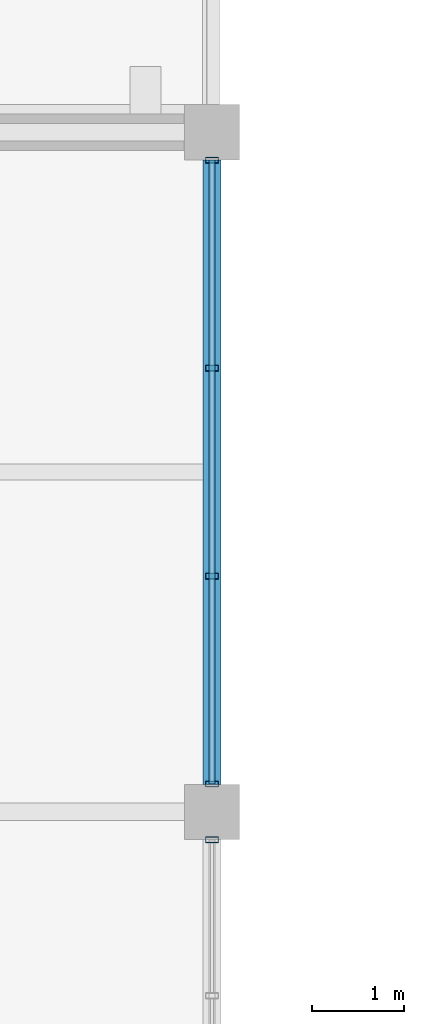
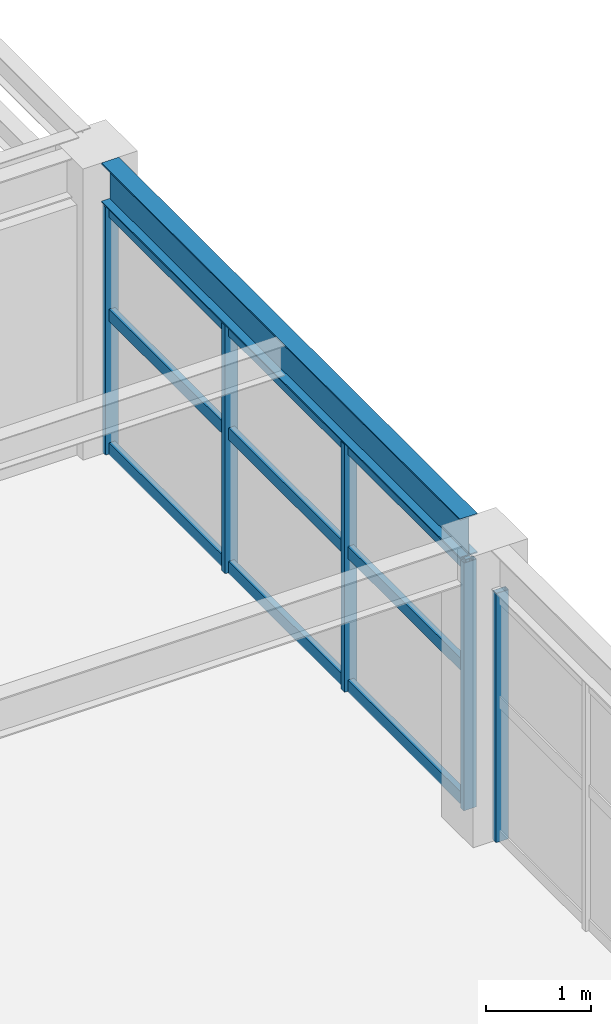
# One storey, part 56 of 121: 8 members, 1 beam, 2 elements without a shape of their own.
"""IFC4 building model written with IfcOpenShell, lengths in metres."""

import ifcopenshell
import ifcopenshell.guid

model = None  # the IFC model being written
_history = None  # IfcOwnerHistory: only IFC2X3 demands one
_inside = {}  # id of a spatial element -> (the spatial element, [elements in it])
_under = {}  # id of a project, library or spatial element -> (it, [spatial elements below it])
_declared = {}  # id of a project -> (the project, [libraries it declares])
_typed = {}  # id of a type object -> (the type object, [elements of that type])
_made_of = {}  # id of a material, layer set ... -> (it, [elements and type objects made of it])


def new_model(schema):
    """Start an empty IFC model of exactly this schema.

    Asked for "IFC4X3", IfcOpenShell would pick the latest addendum, in which some entities
    have other attributes; the version numbers below select the first issue.
    IFC2X3 requires an IfcOwnerHistory on every rooted entity: one is made here for all.
    """
    global model, _history
    if schema == "IFC4X3":
        model = ifcopenshell.file(schema_version=(4, 3, 0, 0))
    else:
        model = ifcopenshell.file(schema=schema)
    _inside.clear()
    _under.clear()
    _declared.clear()
    _typed.clear()
    _made_of.clear()
    _history = None
    if model.schema == "IFC2X3":
        org = make("IfcOrganization", Name="unknown")
        user = make(
            "IfcPersonAndOrganization",
            ThePerson=make("IfcPerson", FamilyName="unknown"),
            TheOrganization=org,
        )
        app = make(
            "IfcApplication",
            ApplicationDeveloper=org,
            Version="unknown",
            ApplicationFullName="unknown",
            ApplicationIdentifier="unknown",
        )
        _history = make(
            "IfcOwnerHistory",
            OwningUser=user,
            OwningApplication=app,
            ChangeAction="ADDED",
            CreationDate=0,
        )
    return model


def make(cls, **values):
    """One entity of the class cls with the attributes given. An attribute that is None is left unset."""
    return model.create_entity(
        cls, **{name: value for name, value in values.items() if value is not None}
    )


def rooted(cls, **values):
    """An entity with a GlobalId (a new one), such as an element, a storey or a relation."""
    return make(cls, GlobalId=ifcopenshell.guid.new(), OwnerHistory=_history, **values)


def si_unit(unit_type, name, prefix=None):
    """IfcSIUnit, for example si_unit("LENGTHUNIT", "METRE", prefix="MILLI")."""
    return make("IfcSIUnit", UnitType=unit_type, Prefix=prefix, Name=name)


def assignment(units):
    """IfcUnitAssignment: the units of a project."""
    return None if units is None else make("IfcUnitAssignment", Units=units)


def point(xyz):
    """IfcCartesianPoint."""
    return None if xyz is None else make("IfcCartesianPoint", Coordinates=xyz)


def direction(xyz):
    """IfcDirection."""
    return None if xyz is None else make("IfcDirection", DirectionRatios=xyz)


def frame(location, z_axis=None, x_axis=None):
    """IfcAxis2Placement3D, a coordinate frame: its origin and axes. An axis left out is left unset."""
    return make(
        "IfcAxis2Placement3D",
        Location=point(location),
        Axis=direction(z_axis),
        RefDirection=direction(x_axis),
    )


def frame_2d(location, x_axis=None):
    """IfcAxis2Placement2D, a coordinate frame in the plane: its origin and x axis."""
    return make(
        "IfcAxis2Placement2D", Location=point(location), RefDirection=direction(x_axis)
    )


def origin():
    """The frame at (0, 0, 0) with its axes left unset."""
    return frame((0.0, 0.0, 0.0))


def origin_2d():
    """The frame at (0, 0) in the plane with its x axis left unset."""
    return frame_2d((0.0, 0.0))


def place(relative_to, where):
    """IfcLocalPlacement: puts the frame where relative to a parent placement (None: the world)."""
    return make(
        "IfcLocalPlacement", PlacementRelTo=relative_to, RelativePlacement=where
    )


def context(
    kind, dimensions, precision=None, world=None, true_north=None, identifier=None
):
    """IfcGeometricRepresentationContext, for example the 3D "Model" context."""
    return make(
        "IfcGeometricRepresentationContext",
        ContextIdentifier=identifier,
        ContextType=kind,
        CoordinateSpaceDimension=dimensions,
        Precision=precision,
        WorldCoordinateSystem=world,
        TrueNorth=true_north,
    )


def subcontext(parent, identifier, kind, view, scale=None):
    """IfcGeometricRepresentationSubContext, for example "Body" below "Model"."""
    return make(
        "IfcGeometricRepresentationSubContext",
        ContextIdentifier=identifier,
        ContextType=kind,
        ParentContext=parent,
        TargetScale=scale,
        TargetView=view,
    )


def project(units=None, contexts=None):
    """IfcProject with its units and contexts."""
    return rooted(
        "IfcProject",
        Name="project",
        RepresentationContexts=contexts,
        UnitsInContext=assignment(units),
    )


def spatial(cls, under=None, at=None, **own):
    """A site, building, storey or space (cls), placed at a placement, below another one or the project."""
    s = rooted(cls, ObjectPlacement=at, **own)
    if under is not None:
        _under.setdefault(under.id(), (under, []))[1].append(s)
    return s


def profile(cls, at=None, kind="AREA", **sizes):
    """A parametric profile (cls). Its sizes go by their IFC names, for example OverallWidth=200.0."""
    return make(cls, ProfileType=kind, Position=at, **sizes)


def hollow_rectangle(**sizes):
    """IfcRectangleHollowProfileDef."""
    return profile("IfcRectangleHollowProfileDef", **sizes)


def i_section(**sizes):
    """IfcIShapeProfileDef."""
    return profile("IfcIShapeProfileDef", **sizes)


def extrude(swept, where, along, depth):
    """IfcExtrudedAreaSolid: the profile swept, set in the frame where, extruded along a direction by depth."""
    return make(
        "IfcExtrudedAreaSolid",
        SweptArea=swept,
        Position=where,
        ExtrudedDirection=direction(along),
        Depth=depth,
    )


def shape(context_of_items, identifier, shape_type, items):
    """IfcShapeRepresentation: the items that make up one representation, for example the "Body"."""
    return make(
        "IfcShapeRepresentation",
        ContextOfItems=context_of_items,
        RepresentationIdentifier=identifier,
        RepresentationType=shape_type,
        Items=items,
    )


def material(Name=None, Category=None):
    """IfcMaterial."""
    return make("IfcMaterial", Name=Name, Category=Category)


def material_profile(
    of_material, cross_section, Name=None, Category=None, Priority=None
):
    """IfcMaterialProfile: a cross section and its material."""
    return make(
        "IfcMaterialProfile",
        Name=Name,
        Material=of_material,
        Profile=cross_section,
        Priority=Priority,
        Category=Category,
    )


def profile_set(profiles, Name=None, composite=None):
    """IfcMaterialProfileSet."""
    return make(
        "IfcMaterialProfileSet",
        Name=Name,
        MaterialProfiles=profiles,
        CompositeProfile=composite,
    )


def made_of(thing, what):
    """Note that an element or type object is made of a material, layer set ...; save() writes the relation."""
    if what is not None:
        _made_of.setdefault(what.id(), (what, []))[1].append(thing)
    return thing


def type_object(cls, material=None, **own):
    """A type object (cls), such as IfcWallType, which elements share."""
    return made_of(rooted(cls, **own), material)


def element(
    cls,
    number,
    at=None,
    inside=None,
    cuts=None,
    type_object=None,
    material=None,
    context=None,
    identifier="Body",
    shape_type=None,
    held_by="IfcProductDefinitionShape",
    body=None,
    shapes=None,
    **own,
):
    """One element of the class cls, such as IfcWall. Its Tag is "e" and its number.

    at: its placement. inside: the storey or other place that contains it. cuts: it is an
    opening in that element (IfcRelVoidsElement). A single representation is given by context,
    identifier, shape_type and body (its items); several are given by shapes. held_by: the class
    of the entity that holds the representations. save() writes the other relations.
    """
    e = rooted(cls, Tag="e%d" % number, ObjectPlacement=at, **own)
    if body is not None:
        shapes = [shape(context, identifier, shape_type, body)]
    if shapes is not None:
        e.Representation = make(held_by, Representations=shapes)
    if inside is not None:
        _inside.setdefault(inside.id(), (inside, []))[1].append(e)
    if cuts is not None:
        rooted(
            "IfcRelVoidsElement", RelatingBuildingElement=cuts, RelatedOpeningElement=e
        )
    if type_object is not None:
        _typed.setdefault(type_object.id(), (type_object, []))[1].append(e)
    return made_of(e, material)


def aggregate(whole, parts):
    """IfcRelAggregates: a whole, such as a stair, and the parts it consists of."""
    return rooted("IfcRelAggregates", RelatingObject=whole, RelatedObjects=parts)


def save(model, path):
    """Write the relations noted so far, then the file.

    IfcRelAggregates (storeys below a building ...), IfcRelContainedInSpatialStructure (elements
    in a storey), IfcRelDefinesByType, IfcRelAssociatesMaterial and IfcRelDeclares: one each for
    every whole, place, type object, material and project.
    """
    for whole, parts in _under.values():
        aggregate(whole, parts)
    for where, things in _inside.values():
        rooted(
            "IfcRelContainedInSpatialStructure",
            RelatedElements=things,
            RelatingStructure=where,
        )
    for kind, things in _typed.values():
        rooted("IfcRelDefinesByType", RelatedObjects=things, RelatingType=kind)
    for what, things in _made_of.values():
        rooted("IfcRelAssociatesMaterial", RelatedObjects=things, RelatingMaterial=what)
    for by, libraries in _declared.values():
        rooted("IfcRelDeclares", RelatingContext=by, RelatedDefinitions=libraries)
    model.write(path)


model = new_model("IFC4")

# Units and contexts
model_context = context("Model", 3, precision=1e-05, world=origin(), true_north=direction((0.0, 1.0)))
body_context = subcontext(model_context, "Body", "Model", "MODEL_VIEW")
ifc_project = project(units=[si_unit("LENGTHUNIT", "METRE"), si_unit("AREAUNIT", "SQUARE_METRE"), si_unit("VOLUMEUNIT", "CUBIC_METRE"), si_unit("PLANEANGLEUNIT", "RADIAN"), si_unit("MASSUNIT", "GRAM", prefix="KILO")], contexts=[model_context])

# Site, building, storey
site_placement = place(None, origin())
site = spatial("IfcSite", under=ifc_project, at=site_placement, CompositionType="ELEMENT")
building_placement = place(site_placement, origin())
building = spatial("IfcBuilding", under=site, at=building_placement, Name="Cimatlan Art Gallery", CompositionType="ELEMENT")
storey_placement = place(building_placement, frame((0.0, 0.0, 10.199951171875)))
storey = spatial("IfcBuildingStorey", under=building, at=storey_placement, Name="L02", CompositionType="ELEMENT", Elevation=10.199951171875)

# Beam
ifc_material_1 = material(Name="Steel ASTM A992 Grade 50", Category="steel")
ifc_material_profile_1 = material_profile(ifc_material_1, i_section(OverallWidth=0.19091796875, OverallDepth=0.45703125, WebThickness=0.009033203125, FlangeThickness=0.014404296875, at=origin_2d()), Name="W18X50")
ifc_profile_set_1 = profile_set([ifc_material_profile_1], Name="Steel ASTM A992 Grade 50")
beam_type = type_object("IfcBeamType", Name="BM-STL-W18X50", PredefinedType="BEAM", material=ifc_profile_set_1)
beam_placement = place(storey_placement, frame((50.60009765625, 83.39990234375, 3.1416015625), z_axis=(0.0, 1.0, 0.0), x_axis=(-1.0, 0.0, 0.0)))
element("IfcBeam", 1, at=beam_placement, inside=storey, type_object=beam_type, Name="BM-Y-L02-06-11", PredefinedType="BEAM", context=body_context, shape_type="SweptSolid", body=[
    extrude(i_section(OverallWidth=0.19091796875, OverallDepth=0.45703125, WebThickness=0.009033203125, FlangeThickness=0.014404296875, at=origin_2d()), origin(), (0.0, 0.0, 1.0), 6.800048828125),
])

# Curtain wall, member
ifc_material_2 = material(Name="Anodised bronze unitised curtain wall")
curtain_wall_type_1 = type_object("IfcCurtainWallType", Name="CW-V-06792X02883-B4", PredefinedType="NOTDEFINED", material=ifc_material_2)
curtain_wall_1_placement = place(storey_placement, origin())
curtain_wall_1 = element("IfcCurtainWall", 2, at=curtain_wall_1_placement, inside=storey, type_object=curtain_wall_type_1, Name="CW-L02-05-10-E", PredefinedType="NOTDEFINED")
ifc_material_3 = material(Name="Anodised bronze aluminium 6063-T6", Category="aluminium")
ifc_material_profile_2 = material_profile(ifc_material_3, hollow_rectangle(XDim=0.06494140625, YDim=0.139892578125, WallThickness=0.00390625, at=origin_2d()), Name="ALU65X140X4")
ifc_profile_set_2 = profile_set([ifc_material_profile_2], Name="Anodised bronze aluminium 6063-T6")
member_type_1 = type_object("IfcMemberType", Name="CW-MUL-140", PredefinedType="MULLION", material=ifc_profile_set_2)
member_1_placement = place(storey_placement, frame((50.60009765625, 82.7958984375, 0.0), z_axis=(0.0, 0.0, 1.0), x_axis=(0.0, 1.0, 0.0)))
member_1 = element("IfcMember", 3, at=member_1_placement, type_object=member_type_1, Name="CW-L02-05-10-E-M1", PredefinedType="MULLION", context=body_context, shape_type="SweptSolid", body=[
    extrude(hollow_rectangle(XDim=0.06494140625, YDim=0.139892578125, WallThickness=0.00390625, at=origin_2d()), origin(), (0.0, 0.0, 1.0), 2.883056640625),
])
aggregate(curtain_wall_1, [member_1])

# Curtain wall, members
curtain_wall_type_2 = type_object("IfcCurtainWallType", Name="CW-V-06792X02868-B3", PredefinedType="NOTDEFINED", material=ifc_material_2)
curtain_wall_2_placement = place(storey_placement, origin())
curtain_wall_2 = element("IfcCurtainWall", 4, at=curtain_wall_2_placement, inside=storey, type_object=curtain_wall_type_2, Name="CW-L02-05-11-E", PredefinedType="NOTDEFINED")
member_2_placement = place(storey_placement, frame((50.60009765625, 90.196044921875, 0.0), z_axis=(0.0, 0.0, 1.0), x_axis=(0.0, 1.0, 0.0)))
member_2 = element("IfcMember", 5, at=member_2_placement, type_object=member_type_1, Name="CW-L02-05-11-E-M1", PredefinedType="MULLION", context=body_context, shape_type="SweptSolid", body=[
    extrude(hollow_rectangle(XDim=0.06494140625, YDim=0.139892578125, WallThickness=0.00390625, at=origin_2d()), origin(), (0.0, 0.0, 1.0), 2.8681640625),
])
member_3_placement = place(storey_placement, frame((50.60009765625, 87.931884765625, 0.0), z_axis=(0.0, 0.0, 1.0), x_axis=(0.0, 1.0, 0.0)))
member_3 = element("IfcMember", 6, at=member_3_placement, type_object=member_type_1, Name="CW-L02-05-11-E-M2", PredefinedType="MULLION", context=body_context, shape_type="SweptSolid", body=[
    extrude(hollow_rectangle(XDim=0.06494140625, YDim=0.139892578125, WallThickness=0.00390625, at=origin_2d()), origin(), (0.0, 0.0, 1.0), 2.8681640625),
])
member_4_placement = place(storey_placement, frame((50.60009765625, 85.66796875, 0.0), z_axis=(0.0, 0.0, 1.0), x_axis=(0.0, 1.0, 0.0)))
member_4 = element("IfcMember", 7, at=member_4_placement, type_object=member_type_1, Name="CW-L02-05-11-E-M3", PredefinedType="MULLION", context=body_context, shape_type="SweptSolid", body=[
    extrude(hollow_rectangle(XDim=0.06494140625, YDim=0.139892578125, WallThickness=0.00390625, at=origin_2d()), origin(), (0.0, 0.0, 1.0), 2.8681640625),
])
member_5_placement = place(storey_placement, frame((50.60009765625, 83.404052734375, 0.0), z_axis=(0.0, 0.0, 1.0), x_axis=(0.0, 1.0, 0.0)))
member_5 = element("IfcMember", 8, at=member_5_placement, type_object=member_type_1, Name="CW-L02-05-11-E-M4", PredefinedType="MULLION", context=body_context, shape_type="SweptSolid", body=[
    extrude(hollow_rectangle(XDim=0.06494140625, YDim=0.139892578125, WallThickness=0.00390625, at=origin_2d()), origin(), (0.0, 0.0, 1.0), 2.8681640625),
])
ifc_material_profile_3 = material_profile(ifc_material_3, hollow_rectangle(XDim=0.06494140625, YDim=0.139892578125, WallThickness=0.00390625, at=origin_2d()), Name="ALU65X140X4")
ifc_profile_set_3 = profile_set([ifc_material_profile_3], Name="Anodised bronze aluminium 6063-T6")
member_type_2 = type_object("IfcMemberType", Name="CW-TRN-140", PredefinedType="USERDEFINED", material=ifc_profile_set_3)
member_6_placement = place(storey_placement, frame((50.60009765625, 90.196044921875, 0.06005859375), z_axis=(0.0, -1.0, 0.0), x_axis=(1.0, 0.0, 0.0)))
member_6 = element("IfcMember", 9, at=member_6_placement, type_object=member_type_2, Name="CW-L02-05-11-E-T1", ObjectType="TRANSOM", PredefinedType="USERDEFINED", context=body_context, shape_type="SweptSolid", body=[
    extrude(hollow_rectangle(XDim=0.06494140625, YDim=0.139892578125, WallThickness=0.00390625, at=origin_2d()), origin(), (0.0, 0.0, 1.0), 6.7919921875),
])
member_7_placement = place(storey_placement, frame((50.60009765625, 90.196044921875, 1.606201171875), z_axis=(0.0, -1.0, 0.0), x_axis=(1.0, 0.0, 0.0)))
member_7 = element("IfcMember", 10, at=member_7_placement, type_object=member_type_2, Name="CW-L02-05-11-E-T2", ObjectType="TRANSOM", PredefinedType="USERDEFINED", context=body_context, shape_type="SweptSolid", body=[
    extrude(hollow_rectangle(XDim=0.06494140625, YDim=0.139892578125, WallThickness=0.00390625, at=origin_2d()), origin(), (0.0, 0.0, 1.0), 6.7919921875),
])
member_8_placement = place(storey_placement, frame((50.60009765625, 90.196044921875, 2.80810546875), z_axis=(0.0, -1.0, 0.0), x_axis=(1.0, 0.0, 0.0)))
member_8 = element("IfcMember", 11, at=member_8_placement, type_object=member_type_2, Name="CW-L02-05-11-E-T3", ObjectType="TRANSOM", PredefinedType="USERDEFINED", context=body_context, shape_type="SweptSolid", body=[
    extrude(hollow_rectangle(XDim=0.06494140625, YDim=0.139892578125, WallThickness=0.00390625, at=origin_2d()), origin(), (0.0, 0.0, 1.0), 6.7919921875),
])
aggregate(curtain_wall_2, [member_2, member_3, member_4, member_5, member_6, member_7, member_8])

save(model, "model.ifc")
